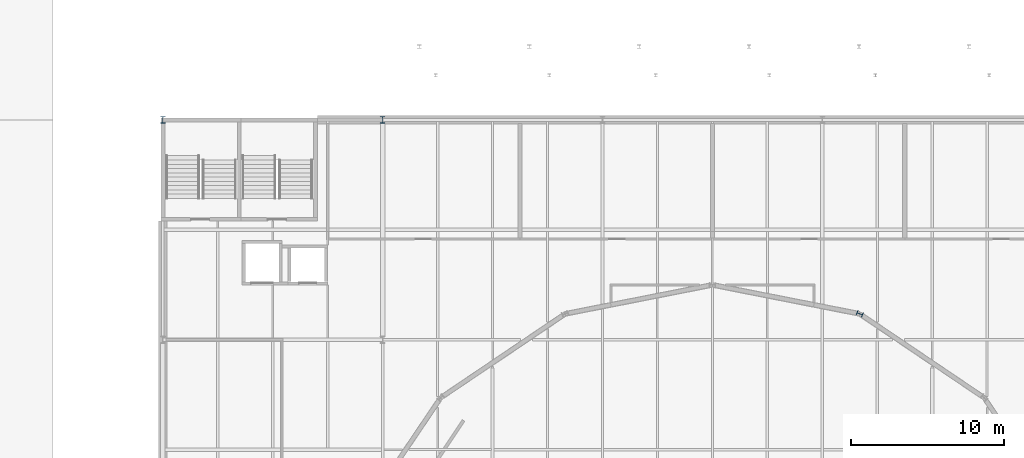
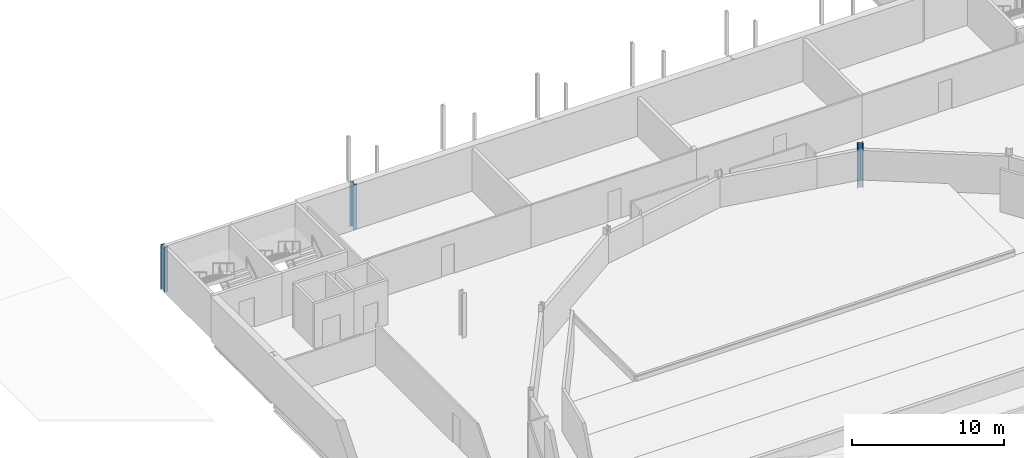
# One storey, part 9 of 90: 3 columns.
"""IFC4 building model written with IfcOpenShell, lengths in metres."""

from ifc_helpers import new_model, si_unit, direction, frame, origin, origin_2d, place, context, subcontext, project, spatial, i_section, extrude, material, material_profile, profile_set, type_object, element, save


model = new_model("IFC4")

# Units and contexts
model_context = context("Model", 3, precision=1e-05, world=origin(), true_north=direction((0.0, 1.0)))
body_context = subcontext(model_context, "Body", "Model", "MODEL_VIEW")
ifc_project = project(units=[si_unit("LENGTHUNIT", "METRE"), si_unit("AREAUNIT", "SQUARE_METRE"), si_unit("VOLUMEUNIT", "CUBIC_METRE"), si_unit("PLANEANGLEUNIT", "RADIAN"), si_unit("MASSUNIT", "GRAM", prefix="KILO")], contexts=[model_context])

# Site, building, storey
site_placement = place(None, origin())
site = spatial("IfcSite", under=ifc_project, at=site_placement, CompositionType="ELEMENT")
building_placement = place(site_placement, origin())
building = spatial("IfcBuilding", under=site, at=building_placement, Name="Kupolbacken Congress Centre", CompositionType="ELEMENT")
storey_placement = place(building_placement, frame((0.0, 0.0, 3.60009765625)))
storey = spatial("IfcBuildingStorey", under=building, at=storey_placement, Name="L01", CompositionType="ELEMENT", Elevation=3.60009765625)

# Columns
ifc_material_1 = material(Name="Steel S355", Category="steel")
ifc_material_profile_1 = material_profile(ifc_material_1, i_section(OverallWidth=0.300048828125, OverallDepth=0.449951171875, WebThickness=0.013916015625, FlangeThickness=0.02587890625, FilletRadius=0.027099609375, at=origin_2d()), Name="HEB 450")
ifc_profile_set_1 = profile_set([ifc_material_profile_1], Name="Steel S355")
column_type_1 = type_object("IfcColumnType", Name="C03 column HEB 450", PredefinedType="COLUMN", material=ifc_profile_set_1)
for number, where, z_axis, x_axis, name in (
    (1, (7.199951171875, 122.39990234375, 0.0), (0.0, 0.0, 1.0), (1.0, 0.0, 0.0), "S/col/C-P-2T/L01"),
    (2, (21.60009765625, 122.39990234375, 0.0), (0.0, 0.0, 1.0), (1.0, 0.0, 0.0), "S/col/C-P-4T/L01"),
):
    element("IfcColumn", number, at=place(storey_placement, frame(where, z_axis=z_axis, x_axis=x_axis)), inside=storey, type_object=column_type_1, Name=name, PredefinedType="COLUMN", context=body_context, shape_type="SweptSolid", body=[
        extrude(i_section(OverallWidth=0.300048828125, OverallDepth=0.449951171875, WebThickness=0.013916015625, FlangeThickness=0.02587890625, FilletRadius=0.027099609375, at=origin_2d()), origin(), (0.0, 0.0, 1.0), 3.599853515625),
    ])
ifc_material_2 = material(Name="Steel S355", Category="steel")
ifc_material_profile_2 = material_profile(ifc_material_2, i_section(OverallWidth=0.300048828125, OverallDepth=0.39990234375, WebThickness=0.013427734375, FlangeThickness=0.02392578125, FilletRadius=0.027099609375, at=origin_2d()), Name="HEB 400")
ifc_profile_set_2 = profile_set([ifc_material_profile_2], Name="Steel S355")
column_type_2 = type_object("IfcColumnType", Name="C08 column HEB 400", PredefinedType="COLUMN", material=ifc_profile_set_2)
column_placement = place(storey_placement, frame((52.85009765625, 109.699951171875, 0.0), z_axis=(0.0, 0.0, 1.0), x_axis=(0.382643629864, 0.923896018243, 0.0)))
element("IfcColumn", 3, at=column_placement, inside=storey, type_object=column_type_2, Name="S/col/C-D04/L01", PredefinedType="COLUMN", context=body_context, shape_type="SweptSolid", body=[
    extrude(i_section(OverallWidth=0.300048828125, OverallDepth=0.39990234375, WebThickness=0.013427734375, FlangeThickness=0.02392578125, FilletRadius=0.027099609375, at=origin_2d()), origin(), (0.0, 0.0, 1.0), 3.599853515625),
])

save(model, "model.ifc")
